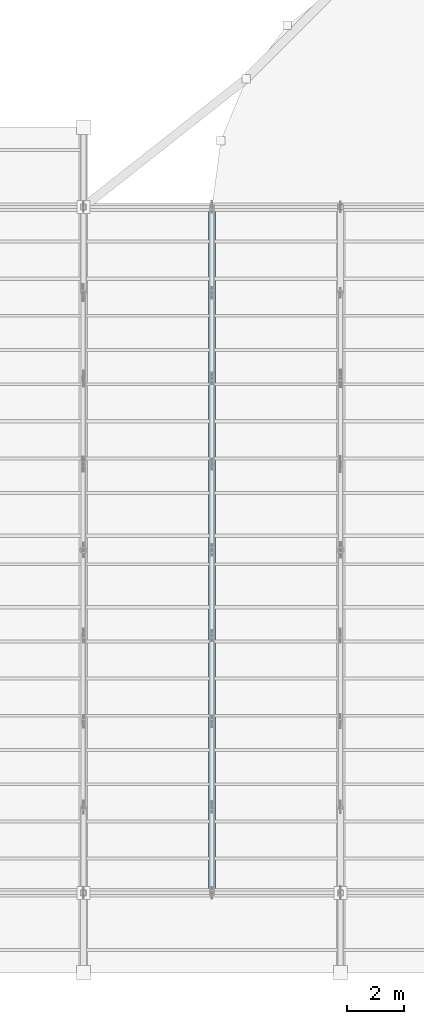
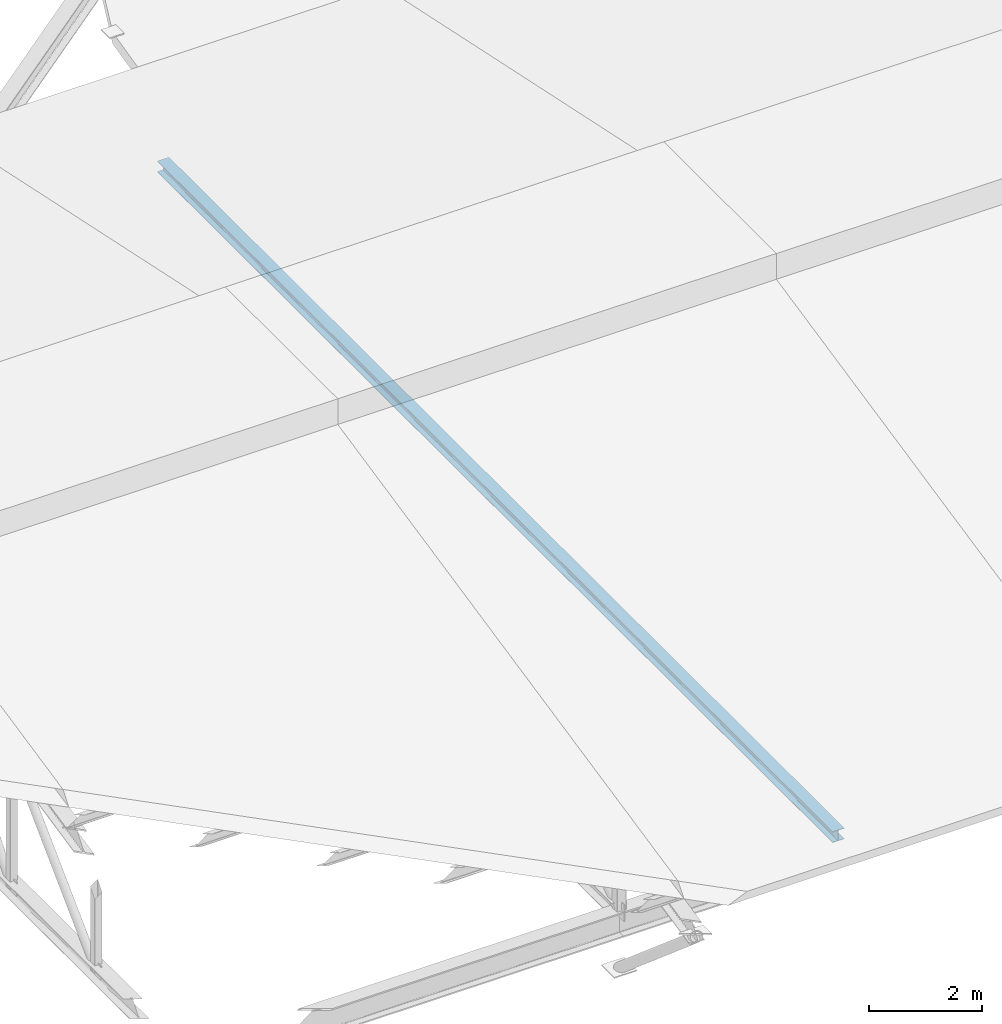
# One storey, part 11 of 43: 1 member.
"""IFC4 building model written with IfcOpenShell, lengths in metres."""

import ifcopenshell
import ifcopenshell.guid

model = None  # the IFC model being written
_history = None  # IfcOwnerHistory: only IFC2X3 demands one
_inside = {}  # id of a spatial element -> (the spatial element, [elements in it])
_under = {}  # id of a project, library or spatial element -> (it, [spatial elements below it])
_declared = {}  # id of a project -> (the project, [libraries it declares])
_typed = {}  # id of a type object -> (the type object, [elements of that type])
_made_of = {}  # id of a material, layer set ... -> (it, [elements and type objects made of it])


def new_model(schema):
    """Start an empty IFC model of exactly this schema.

    Asked for "IFC4X3", IfcOpenShell would pick the latest addendum, in which some entities
    have other attributes; the version numbers below select the first issue.
    IFC2X3 requires an IfcOwnerHistory on every rooted entity: one is made here for all.
    """
    global model, _history
    if schema == "IFC4X3":
        model = ifcopenshell.file(schema_version=(4, 3, 0, 0))
    else:
        model = ifcopenshell.file(schema=schema)
    _inside.clear()
    _under.clear()
    _declared.clear()
    _typed.clear()
    _made_of.clear()
    _history = None
    if model.schema == "IFC2X3":
        org = make("IfcOrganization", Name="unknown")
        user = make(
            "IfcPersonAndOrganization",
            ThePerson=make("IfcPerson", FamilyName="unknown"),
            TheOrganization=org,
        )
        app = make(
            "IfcApplication",
            ApplicationDeveloper=org,
            Version="unknown",
            ApplicationFullName="unknown",
            ApplicationIdentifier="unknown",
        )
        _history = make(
            "IfcOwnerHistory",
            OwningUser=user,
            OwningApplication=app,
            ChangeAction="ADDED",
            CreationDate=0,
        )
    return model


def make(cls, **values):
    """One entity of the class cls with the attributes given. An attribute that is None is left unset."""
    return model.create_entity(
        cls, **{name: value for name, value in values.items() if value is not None}
    )


def rooted(cls, **values):
    """An entity with a GlobalId (a new one), such as an element, a storey or a relation."""
    return make(cls, GlobalId=ifcopenshell.guid.new(), OwnerHistory=_history, **values)


def si_unit(unit_type, name, prefix=None):
    """IfcSIUnit, for example si_unit("LENGTHUNIT", "METRE", prefix="MILLI")."""
    return make("IfcSIUnit", UnitType=unit_type, Prefix=prefix, Name=name)


def assignment(units):
    """IfcUnitAssignment: the units of a project."""
    return None if units is None else make("IfcUnitAssignment", Units=units)


def point(xyz):
    """IfcCartesianPoint."""
    return None if xyz is None else make("IfcCartesianPoint", Coordinates=xyz)


def direction(xyz):
    """IfcDirection."""
    return None if xyz is None else make("IfcDirection", DirectionRatios=xyz)


def frame(location, z_axis=None, x_axis=None):
    """IfcAxis2Placement3D, a coordinate frame: its origin and axes. An axis left out is left unset."""
    return make(
        "IfcAxis2Placement3D",
        Location=point(location),
        Axis=direction(z_axis),
        RefDirection=direction(x_axis),
    )


def frame_2d(location, x_axis=None):
    """IfcAxis2Placement2D, a coordinate frame in the plane: its origin and x axis."""
    return make(
        "IfcAxis2Placement2D", Location=point(location), RefDirection=direction(x_axis)
    )


def origin():
    """The frame at (0, 0, 0) with its axes left unset."""
    return frame((0.0, 0.0, 0.0))


def origin_2d():
    """The frame at (0, 0) in the plane with its x axis left unset."""
    return frame_2d((0.0, 0.0))


def place(relative_to, where):
    """IfcLocalPlacement: puts the frame where relative to a parent placement (None: the world)."""
    return make(
        "IfcLocalPlacement", PlacementRelTo=relative_to, RelativePlacement=where
    )


def context(
    kind, dimensions, precision=None, world=None, true_north=None, identifier=None
):
    """IfcGeometricRepresentationContext, for example the 3D "Model" context."""
    return make(
        "IfcGeometricRepresentationContext",
        ContextIdentifier=identifier,
        ContextType=kind,
        CoordinateSpaceDimension=dimensions,
        Precision=precision,
        WorldCoordinateSystem=world,
        TrueNorth=true_north,
    )


def subcontext(parent, identifier, kind, view, scale=None):
    """IfcGeometricRepresentationSubContext, for example "Body" below "Model"."""
    return make(
        "IfcGeometricRepresentationSubContext",
        ContextIdentifier=identifier,
        ContextType=kind,
        ParentContext=parent,
        TargetScale=scale,
        TargetView=view,
    )


def project(units=None, contexts=None):
    """IfcProject with its units and contexts."""
    return rooted(
        "IfcProject",
        Name="project",
        RepresentationContexts=contexts,
        UnitsInContext=assignment(units),
    )


def spatial(cls, under=None, at=None, **own):
    """A site, building, storey or space (cls), placed at a placement, below another one or the project."""
    s = rooted(cls, ObjectPlacement=at, **own)
    if under is not None:
        _under.setdefault(under.id(), (under, []))[1].append(s)
    return s


def profile(cls, at=None, kind="AREA", **sizes):
    """A parametric profile (cls). Its sizes go by their IFC names, for example OverallWidth=200.0."""
    return make(cls, ProfileType=kind, Position=at, **sizes)


def i_section(**sizes):
    """IfcIShapeProfileDef."""
    return profile("IfcIShapeProfileDef", **sizes)


def extrude(swept, where, along, depth):
    """IfcExtrudedAreaSolid: the profile swept, set in the frame where, extruded along a direction by depth."""
    return make(
        "IfcExtrudedAreaSolid",
        SweptArea=swept,
        Position=where,
        ExtrudedDirection=direction(along),
        Depth=depth,
    )


def shape(context_of_items, identifier, shape_type, items):
    """IfcShapeRepresentation: the items that make up one representation, for example the "Body"."""
    return make(
        "IfcShapeRepresentation",
        ContextOfItems=context_of_items,
        RepresentationIdentifier=identifier,
        RepresentationType=shape_type,
        Items=items,
    )


def material(Name=None, Category=None):
    """IfcMaterial."""
    return make("IfcMaterial", Name=Name, Category=Category)


def material_profile(
    of_material, cross_section, Name=None, Category=None, Priority=None
):
    """IfcMaterialProfile: a cross section and its material."""
    return make(
        "IfcMaterialProfile",
        Name=Name,
        Material=of_material,
        Profile=cross_section,
        Priority=Priority,
        Category=Category,
    )


def profile_set(profiles, Name=None, composite=None):
    """IfcMaterialProfileSet."""
    return make(
        "IfcMaterialProfileSet",
        Name=Name,
        MaterialProfiles=profiles,
        CompositeProfile=composite,
    )


def made_of(thing, what):
    """Note that an element or type object is made of a material, layer set ...; save() writes the relation."""
    if what is not None:
        _made_of.setdefault(what.id(), (what, []))[1].append(thing)
    return thing


def type_object(cls, material=None, **own):
    """A type object (cls), such as IfcWallType, which elements share."""
    return made_of(rooted(cls, **own), material)


def element(
    cls,
    number,
    at=None,
    inside=None,
    cuts=None,
    type_object=None,
    material=None,
    context=None,
    identifier="Body",
    shape_type=None,
    held_by="IfcProductDefinitionShape",
    body=None,
    shapes=None,
    **own,
):
    """One element of the class cls, such as IfcWall. Its Tag is "e" and its number.

    at: its placement. inside: the storey or other place that contains it. cuts: it is an
    opening in that element (IfcRelVoidsElement). A single representation is given by context,
    identifier, shape_type and body (its items); several are given by shapes. held_by: the class
    of the entity that holds the representations. save() writes the other relations.
    """
    e = rooted(cls, Tag="e%d" % number, ObjectPlacement=at, **own)
    if body is not None:
        shapes = [shape(context, identifier, shape_type, body)]
    if shapes is not None:
        e.Representation = make(held_by, Representations=shapes)
    if inside is not None:
        _inside.setdefault(inside.id(), (inside, []))[1].append(e)
    if cuts is not None:
        rooted(
            "IfcRelVoidsElement", RelatingBuildingElement=cuts, RelatedOpeningElement=e
        )
    if type_object is not None:
        _typed.setdefault(type_object.id(), (type_object, []))[1].append(e)
    return made_of(e, material)


def aggregate(whole, parts):
    """IfcRelAggregates: a whole, such as a stair, and the parts it consists of."""
    return rooted("IfcRelAggregates", RelatingObject=whole, RelatedObjects=parts)


def save(model, path):
    """Write the relations noted so far, then the file.

    IfcRelAggregates (storeys below a building ...), IfcRelContainedInSpatialStructure (elements
    in a storey), IfcRelDefinesByType, IfcRelAssociatesMaterial and IfcRelDeclares: one each for
    every whole, place, type object, material and project.
    """
    for whole, parts in _under.values():
        aggregate(whole, parts)
    for where, things in _inside.values():
        rooted(
            "IfcRelContainedInSpatialStructure",
            RelatedElements=things,
            RelatingStructure=where,
        )
    for kind, things in _typed.values():
        rooted("IfcRelDefinesByType", RelatedObjects=things, RelatingType=kind)
    for what, things in _made_of.values():
        rooted("IfcRelAssociatesMaterial", RelatedObjects=things, RelatingMaterial=what)
    for by, libraries in _declared.values():
        rooted("IfcRelDeclares", RelatingContext=by, RelatedDefinitions=libraries)
    model.write(path)


model = new_model("IFC4")

# Units and contexts
model_context = context("Model", 3, precision=1e-05, world=origin(), true_north=direction((0.0, 1.0)))
body_context = subcontext(model_context, "Body", "Model", "MODEL_VIEW")
ifc_project = project(units=[si_unit("LENGTHUNIT", "METRE"), si_unit("AREAUNIT", "SQUARE_METRE"), si_unit("VOLUMEUNIT", "CUBIC_METRE"), si_unit("PLANEANGLEUNIT", "RADIAN"), si_unit("MASSUNIT", "GRAM", prefix="KILO")], contexts=[model_context])

# Site, building, storey
site_placement = place(None, origin())
site = spatial("IfcSite", under=ifc_project, at=site_placement, CompositionType="ELEMENT")
building_placement = place(site_placement, origin())
building = spatial("IfcBuilding", under=site, at=building_placement, Name="Serraforn Aerial Cableway Station", CompositionType="ELEMENT")
storey_placement = place(building_placement, frame((0.0, 0.0, 18.300048828125)))
storey = spatial("IfcBuildingStorey", under=building, at=storey_placement, Name="RF", CompositionType="ELEMENT", Elevation=18.300048828125)

# Member
ifc_material = material(Name="Steel S355J2", Category="steel")
ifc_material_profile = material_profile(ifc_material, i_section(OverallWidth=0.239990234375, OverallDepth=0.239990234375, WebThickness=0.007568359375, FlangeThickness=0.011962890625, FilletRadius=0.02099609375, at=origin_2d()), Name="HEA 240")
ifc_profile_set = profile_set([ifc_material_profile], Name="Steel S355J2")
member_type = type_object("IfcMemberType", Name="MEM-BC-HEA240", PredefinedType="CHORD", material=ifc_profile_set)
member_placement = place(storey_placement, frame((50.10009765625, 18.0, -1.35009765625), z_axis=(0.0, 1.0, 0.0), x_axis=(-1.0, 0.0, 0.0)))
element("IfcMember", 1, at=member_placement, inside=storey, type_object=member_type, Name="Intermediate Truss TRM-03 Bottom Chord", PredefinedType="CHORD", context=body_context, shape_type="SweptSolid", body=[
    extrude(i_section(OverallWidth=0.239990234375, OverallDepth=0.239990234375, WebThickness=0.007568359375, FlangeThickness=0.011962890625, FilletRadius=0.02099609375, at=origin_2d()), origin(), (0.0, 0.0, 1.0), 24.0),
])

save(model, "model.ifc")
